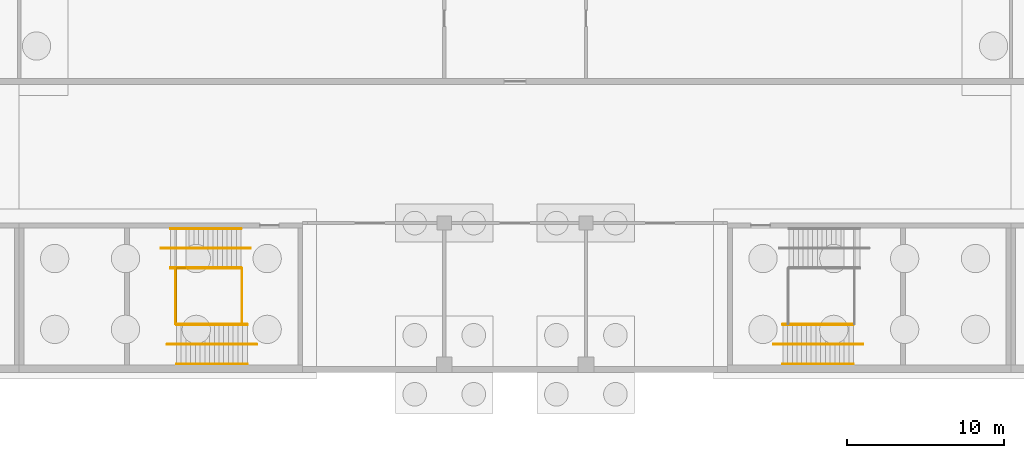
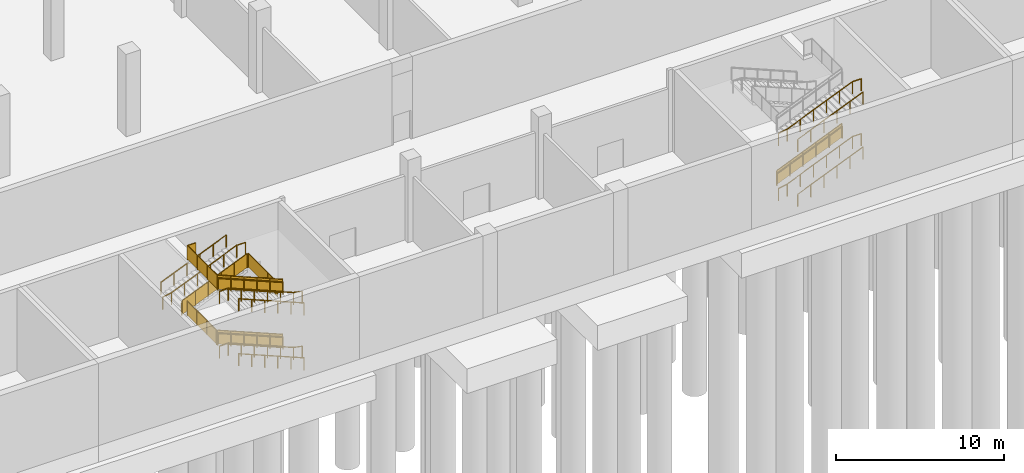
# One storey, part 29 of 42: 21 railings.
"""IFC4 building model written with IfcOpenShell, lengths in metres."""

from ifc_helpers import new_model, si_unit, direction, frame, origin, origin_2d, place, context, subcontext, project, spatial, polyline, circle, outline, extrude, material, type_object, element, save


model = new_model("IFC4")

# Units and contexts
model_context = context("Model", 3, precision=1e-05, world=origin(), true_north=direction((0.0, 1.0)))
body_context = subcontext(model_context, "Body", "Model", "MODEL_VIEW")
ifc_project = project(units=[si_unit("LENGTHUNIT", "METRE"), si_unit("AREAUNIT", "SQUARE_METRE"), si_unit("VOLUMEUNIT", "CUBIC_METRE"), si_unit("PLANEANGLEUNIT", "RADIAN"), si_unit("MASSUNIT", "GRAM", prefix="KILO")], contexts=[model_context])

# Site, building, storey
site_placement = place(None, origin())
site = spatial("IfcSite", under=ifc_project, at=site_placement, CompositionType="ELEMENT")
building_placement = place(site_placement, origin())
building = spatial("IfcBuilding", under=site, at=building_placement, Name="Silverbay Arena", CompositionType="ELEMENT")
storey_placement = place(building_placement, frame((0.0, 0.0, -6.0)))
storey = spatial("IfcBuildingStorey", under=building, at=storey_placement, Name="B1", CompositionType="ELEMENT", Elevation=-6.0)

# Railings
ifc_material_1 = material(Name="Stainless steel", Category="steel")
railing_type_1 = type_object("IfcRailingType", Name="Stair guard 1100", PredefinedType="GUARDRAIL", material=ifc_material_1)
railing_1_placement = place(storey_placement, frame((113.489990234375, 20.574951171875, 0.125)))
element("IfcRailing", 1, at=railing_1_placement, inside=storey, type_object=railing_type_1, Name="Stair ST-S2 B1 to L00 flight 1 guard left", PredefinedType="GUARDRAIL", context=body_context, shape_type="SweptSolid", body=[
    extrude(circle(Radius=0.02392578125, at=origin_2d()), frame((0.0, 0.0, 1.076171875), z_axis=(-0.923076923077, 0.0, 0.384615384615), x_axis=(0.0, -1.0, 0.0)), (0.0, 0.0, 1.0), 4.875),
    extrude(outline(polyline([(-0.008056640625, 0.046630859375), (0.907958984375, 0.42822265625), (0.907958984375, 1.431396484375), (-0.008056640625, 1.049560546875), (-0.008056640625, 0.046630859375)])), frame((0.0, -0.0029296875, 0.0), z_axis=(0.0, 1.0, 0.0), x_axis=(-1.0, 0.0, 0.0)), (0.0, 0.0, 1.0), 0.006103515625),
    extrude(outline(polyline([(-0.008056640625, 0.421630859375), (0.907958984375, 0.80322265625), (0.907958984375, 1.806396484375), (-0.008056640625, 1.424560546875), (-0.008056640625, 0.421630859375)])), frame((-0.89990234375, -0.0029296875, 0.0), z_axis=(0.0, 1.0, 0.0), x_axis=(-1.0, 0.0, 0.0)), (0.0, 0.0, 1.0), 0.006103515625),
    extrude(outline(polyline([(-0.008056640625, 0.796630859375), (0.907958984375, 1.17822265625), (0.907958984375, 2.181396484375), (-0.008056640625, 1.799560546875), (-0.008056640625, 0.796630859375)])), frame((-1.800048828125, -0.0029296875, 0.0), z_axis=(0.0, 1.0, 0.0), x_axis=(-1.0, 0.0, 0.0)), (0.0, 0.0, 1.0), 0.006103515625),
    extrude(outline(polyline([(-0.008056640625, 1.171630859375), (0.907958984375, 1.55322265625), (0.907958984375, 2.556396484375), (-0.008056640625, 2.174560546875), (-0.008056640625, 1.171630859375)])), frame((-2.699951171875, -0.0029296875, 0.0), z_axis=(0.0, 1.0, 0.0), x_axis=(-1.0, 0.0, 0.0)), (0.0, 0.0, 1.0), 0.006103515625),
    extrude(outline(polyline([(-0.008056640625, 1.546630859375), (0.907958984375, 1.92822265625), (0.907958984375, 2.931396484375), (-0.008056640625, 2.549560546875), (-0.008056640625, 1.546630859375)])), frame((-3.60009765625, -0.0029296875, 0.0), z_axis=(0.0, 1.0, 0.0), x_axis=(-1.0, 0.0, 0.0)), (0.0, 0.0, 1.0), 0.006103515625),
    extrude(circle(Radius=0.02099609375, at=origin_2d()), origin(), (0.0, 0.0, 1.0), 1.052001953125),
    extrude(circle(Radius=0.02099609375, at=origin_2d()), frame((-0.89990234375, 0.0, 0.375)), (0.0, 0.0, 1.0), 1.052001953125),
    extrude(circle(Radius=0.02099609375, at=origin_2d()), frame((-1.800048828125, 0.0, 0.75)), (0.0, 0.0, 1.0), 1.052001953125),
    extrude(circle(Radius=0.02099609375, at=origin_2d()), frame((-2.699951171875, 0.0, 1.125)), (0.0, 0.0, 1.0), 1.052001953125),
    extrude(circle(Radius=0.02099609375, at=origin_2d()), frame((-3.60009765625, 0.0, 1.5)), (0.0, 0.0, 1.0), 1.052001953125),
    extrude(circle(Radius=0.02099609375, at=origin_2d()), frame((-4.5, 0.0, 1.875)), (0.0, 0.0, 1.0), 1.052001953125),
])
railing_2_placement = place(storey_placement, frame((108.60009765625, 24.125, 2.125)))
element("IfcRailing", 2, at=railing_2_placement, inside=storey, type_object=railing_type_1, Name="Stair ST-S2 B1 to L00 flight 2 guard right", PredefinedType="GUARDRAIL", context=body_context, shape_type="SweptSolid", body=[
    extrude(circle(Radius=0.02392578125, at=origin_2d()), frame((0.0, 0.0, 1.076171875), z_axis=(0.923076923077, 0.0, 0.384615384615), x_axis=(0.0, 1.0, 0.0)), (0.0, 0.0, 1.0), 4.875),
    extrude(outline(polyline([(-0.008056640625, 0.046630859375), (0.907958984375, 0.42822265625), (0.907958984375, 1.431396484375), (-0.008056640625, 1.049560546875), (-0.008056640625, 0.046630859375)])), frame((0.0, 0.0029296875, 0.0), z_axis=(0.0, -1.0, 0.0), x_axis=(1.0, 0.0, 0.0)), (0.0, 0.0, 1.0), 0.006103515625),
    extrude(outline(polyline([(-0.008056640625, 0.421630859375), (0.907958984375, 0.80322265625), (0.907958984375, 1.806396484375), (-0.008056640625, 1.424560546875), (-0.008056640625, 0.421630859375)])), frame((0.89990234375, 0.0029296875, 0.0), z_axis=(0.0, -1.0, 0.0), x_axis=(1.0, 0.0, 0.0)), (0.0, 0.0, 1.0), 0.006103515625),
    extrude(outline(polyline([(-0.008056640625, 0.796630859375), (0.907958984375, 1.17822265625), (0.907958984375, 2.181396484375), (-0.008056640625, 1.799560546875), (-0.008056640625, 0.796630859375)])), frame((1.800048828125, 0.0029296875, 0.0), z_axis=(0.0, -1.0, 0.0), x_axis=(1.0, 0.0, 0.0)), (0.0, 0.0, 1.0), 0.006103515625),
    extrude(outline(polyline([(-0.008056640625, 1.171630859375), (0.907958984375, 1.55322265625), (0.907958984375, 2.556396484375), (-0.008056640625, 2.174560546875), (-0.008056640625, 1.171630859375)])), frame((2.699951171875, 0.0029296875, 0.0), z_axis=(0.0, -1.0, 0.0), x_axis=(1.0, 0.0, 0.0)), (0.0, 0.0, 1.0), 0.006103515625),
    extrude(outline(polyline([(-0.008056640625, 1.546630859375), (0.907958984375, 1.92822265625), (0.907958984375, 2.931396484375), (-0.008056640625, 2.549560546875), (-0.008056640625, 1.546630859375)])), frame((3.60009765625, 0.0029296875, 0.0), z_axis=(0.0, -1.0, 0.0), x_axis=(1.0, 0.0, 0.0)), (0.0, 0.0, 1.0), 0.006103515625),
    extrude(circle(Radius=0.02099609375, at=origin_2d()), origin(), (0.0, 0.0, 1.0), 1.052001953125),
    extrude(circle(Radius=0.02099609375, at=origin_2d()), frame((0.89990234375, 0.0, 0.375)), (0.0, 0.0, 1.0), 1.052001953125),
    extrude(circle(Radius=0.02099609375, at=origin_2d()), frame((1.800048828125, 0.0, 0.75)), (0.0, 0.0, 1.0), 1.052001953125),
    extrude(circle(Radius=0.02099609375, at=origin_2d()), frame((2.699951171875, 0.0, 1.125)), (0.0, 0.0, 1.0), 1.052001953125),
    extrude(circle(Radius=0.02099609375, at=origin_2d()), frame((3.60009765625, 0.0, 1.5)), (0.0, 0.0, 1.0), 1.052001953125),
    extrude(circle(Radius=0.02099609375, at=origin_2d()), frame((4.5, 0.0, 1.875)), (0.0, 0.0, 1.0), 1.052001953125),
])
railing_3_placement = place(storey_placement, frame((113.489990234375, 20.574951171875, 4.125)))
element("IfcRailing", 3, at=railing_3_placement, inside=storey, type_object=railing_type_1, Name="Stair ST-S2 B1 to L00 flight 3 guard left", PredefinedType="GUARDRAIL", context=body_context, shape_type="SweptSolid", body=[
    extrude(circle(Radius=0.02392578125, at=origin_2d()), frame((0.0, 0.0, 1.076171875), z_axis=(-0.923076923077, 0.0, 0.384615384615), x_axis=(0.0, -1.0, 0.0)), (0.0, 0.0, 1.0), 4.875),
    extrude(outline(polyline([(-0.008056640625, 0.046630859375), (0.907958984375, 0.42822265625), (0.907958984375, 1.431396484375), (-0.008056640625, 1.049560546875), (-0.008056640625, 0.046630859375)])), frame((0.0, -0.0029296875, 0.0), z_axis=(0.0, 1.0, 0.0), x_axis=(-1.0, 0.0, 0.0)), (0.0, 0.0, 1.0), 0.006103515625),
    extrude(outline(polyline([(-0.008056640625, 0.421630859375), (0.907958984375, 0.80322265625), (0.907958984375, 1.806396484375), (-0.008056640625, 1.424560546875), (-0.008056640625, 0.421630859375)])), frame((-0.89990234375, -0.0029296875, 0.0), z_axis=(0.0, 1.0, 0.0), x_axis=(-1.0, 0.0, 0.0)), (0.0, 0.0, 1.0), 0.006103515625),
    extrude(outline(polyline([(-0.008056640625, 0.796630859375), (0.907958984375, 1.17822265625), (0.907958984375, 2.181396484375), (-0.008056640625, 1.799560546875), (-0.008056640625, 0.796630859375)])), frame((-1.800048828125, -0.0029296875, 0.0), z_axis=(0.0, 1.0, 0.0), x_axis=(-1.0, 0.0, 0.0)), (0.0, 0.0, 1.0), 0.006103515625),
    extrude(outline(polyline([(-0.008056640625, 1.171630859375), (0.907958984375, 1.55322265625), (0.907958984375, 2.556396484375), (-0.008056640625, 2.174560546875), (-0.008056640625, 1.171630859375)])), frame((-2.699951171875, -0.0029296875, 0.0), z_axis=(0.0, 1.0, 0.0), x_axis=(-1.0, 0.0, 0.0)), (0.0, 0.0, 1.0), 0.006103515625),
    extrude(outline(polyline([(-0.008056640625, 1.546630859375), (0.907958984375, 1.92822265625), (0.907958984375, 2.931396484375), (-0.008056640625, 2.549560546875), (-0.008056640625, 1.546630859375)])), frame((-3.60009765625, -0.0029296875, 0.0), z_axis=(0.0, 1.0, 0.0), x_axis=(-1.0, 0.0, 0.0)), (0.0, 0.0, 1.0), 0.006103515625),
    extrude(circle(Radius=0.02099609375, at=origin_2d()), origin(), (0.0, 0.0, 1.0), 1.052001953125),
    extrude(circle(Radius=0.02099609375, at=origin_2d()), frame((-0.89990234375, 0.0, 0.375)), (0.0, 0.0, 1.0), 1.052001953125),
    extrude(circle(Radius=0.02099609375, at=origin_2d()), frame((-1.800048828125, 0.0, 0.75)), (0.0, 0.0, 1.0), 1.052001953125),
    extrude(circle(Radius=0.02099609375, at=origin_2d()), frame((-2.699951171875, 0.0, 1.125)), (0.0, 0.0, 1.0), 1.052001953125),
    extrude(circle(Radius=0.02099609375, at=origin_2d()), frame((-3.60009765625, 0.0, 1.5)), (0.0, 0.0, 1.0), 1.052001953125),
    extrude(circle(Radius=0.02099609375, at=origin_2d()), frame((-4.5, 0.0, 1.875)), (0.0, 0.0, 1.0), 1.052001953125),
])
for number, where, name in (
    (4, (108.93994140625, 24.10009765625, 2.0), "Stair ST-S2 B1 to L00 landing 1 guard"),
    (5, (113.14990234375, 24.10009765625, 4.0), "Stair ST-S2 B1 to L00 landing 2 guard"),
):
    element("IfcRailing", number, at=place(storey_placement, frame(where)), inside=storey, type_object=railing_type_1, Name=name, PredefinedType="GUARDRAIL", context=body_context, shape_type="SweptSolid", body=[
        extrude(circle(Radius=0.02392578125, at=origin_2d()), frame((0.0, 0.0, 1.076171875), z_axis=(0.0, -1.0, 0.0), x_axis=(1.0, 0.0, 0.0)), (0.0, 0.0, 1.0), 3.5),
        extrude(outline(polyline([(-0.008056640625, 0.050048828125), (1.174560546875, 0.050048828125), (1.174560546875, 1.052978515625), (-0.008056640625, 1.052978515625), (-0.008056640625, 0.050048828125)])), frame((0.0029296875, 0.0, 0.0), z_axis=(-1.0, 0.0, 0.0), x_axis=(0.0, -1.0, 0.0)), (0.0, 0.0, 1.0), 0.006103515625),
        extrude(outline(polyline([(-0.008056640625, 0.050048828125), (1.174560546875, 0.050048828125), (1.174560546875, 1.052978515625), (-0.008056640625, 1.052978515625), (-0.008056640625, 0.050048828125)])), frame((0.0029296875, -1.166748046875, 0.0), z_axis=(-1.0, 0.0, 0.0), x_axis=(0.0, -1.0, 0.0)), (0.0, 0.0, 1.0), 0.006103515625),
        extrude(outline(polyline([(-0.008056640625, 0.050048828125), (1.174560546875, 0.050048828125), (1.174560546875, 1.052978515625), (-0.008056640625, 1.052978515625), (-0.008056640625, 0.050048828125)])), frame((0.0029296875, -2.333251953125, 0.0), z_axis=(-1.0, 0.0, 0.0), x_axis=(0.0, -1.0, 0.0)), (0.0, 0.0, 1.0), 0.006103515625),
        extrude(circle(Radius=0.02099609375, at=origin_2d()), origin(), (0.0, 0.0, 1.0), 1.052001953125),
        extrude(circle(Radius=0.02099609375, at=origin_2d()), frame((0.0, -1.166748046875, 0.0)), (0.0, 0.0, 1.0), 1.052001953125),
        extrude(circle(Radius=0.02099609375, at=origin_2d()), frame((0.0, -2.333251953125, 0.0)), (0.0, 0.0, 1.0), 1.052001953125),
        extrude(circle(Radius=0.02099609375, at=origin_2d()), frame((0.0, -3.5, 0.0)), (0.0, 0.0, 1.0), 1.052001953125),
    ])
railing_4_placement = place(storey_placement, frame((109.550048828125, 24.14990234375, 6.0)))
element("IfcRailing", 6, at=railing_4_placement, inside=storey, type_object=railing_type_1, Name="Stair ST-S2 B1 to L00 landing 3 guard", PredefinedType="GUARDRAIL", context=body_context, shape_type="SweptSolid", body=[
    extrude(circle(Radius=0.02392578125, at=origin_2d()), frame((0.0, 0.0, 1.076171875), z_axis=(-1.0, 0.0, 0.0), x_axis=(0.0, -1.0, 0.0)), (0.0, 0.0, 1.0), 0.56005859375),
    extrude(outline(polyline([(-0.008056640625, 0.050048828125), (0.568115234375, 0.050048828125), (0.568115234375, 1.052978515625), (-0.008056640625, 1.052978515625), (-0.008056640625, 0.050048828125)])), frame((0.0, -0.0029296875, 0.0), z_axis=(0.0, 1.0, 0.0), x_axis=(-1.0, 0.0, 0.0)), (0.0, 0.0, 1.0), 0.006103515625),
    extrude(circle(Radius=0.02392578125, at=origin_2d()), frame((-0.56005859375, 0.0, 1.076171875), z_axis=(0.0, -1.0, 0.0), x_axis=(1.0, 0.0, 0.0)), (0.0, 0.0, 1.0), 3.5498046875),
    extrude(outline(polyline([(-0.008056640625, 0.050048828125), (1.191162109375, 0.050048828125), (1.191162109375, 1.052978515625), (-0.008056640625, 1.052978515625), (-0.008056640625, 0.050048828125)])), frame((-0.55712890625, 0.0, 0.0), z_axis=(-1.0, 0.0, 0.0), x_axis=(0.0, -1.0, 0.0)), (0.0, 0.0, 1.0), 0.006103515625),
    extrude(outline(polyline([(-0.008056640625, 0.050048828125), (1.191162109375, 0.050048828125), (1.191162109375, 1.052978515625), (-0.008056640625, 1.052978515625), (-0.008056640625, 0.050048828125)])), frame((-0.55712890625, -1.183349609375, 0.0), z_axis=(-1.0, 0.0, 0.0), x_axis=(0.0, -1.0, 0.0)), (0.0, 0.0, 1.0), 0.006103515625),
    extrude(outline(polyline([(-0.008056640625, 0.050048828125), (1.191162109375, 0.050048828125), (1.191162109375, 1.052978515625), (-0.008056640625, 1.052978515625), (-0.008056640625, 0.050048828125)])), frame((-0.55712890625, -2.366455078125, 0.0), z_axis=(-1.0, 0.0, 0.0), x_axis=(0.0, -1.0, 0.0)), (0.0, 0.0, 1.0), 0.006103515625),
    extrude(circle(Radius=0.02099609375, at=origin_2d()), origin(), (0.0, 0.0, 1.0), 1.052001953125),
    extrude(circle(Radius=0.02099609375, at=origin_2d()), frame((-0.56005859375, 0.0, 0.0)), (0.0, 0.0, 1.0), 1.052001953125),
    extrude(circle(Radius=0.02099609375, at=origin_2d()), frame((-0.56005859375, -1.183349609375, 0.0)), (0.0, 0.0, 1.0), 1.052001953125),
    extrude(circle(Radius=0.02099609375, at=origin_2d()), frame((-0.56005859375, -2.366455078125, 0.0)), (0.0, 0.0, 1.0), 1.052001953125),
    extrude(circle(Radius=0.02099609375, at=origin_2d()), frame((-0.56005859375, -3.5498046875, 0.0)), (0.0, 0.0, 1.0), 1.052001953125),
])
railing_5_placement = place(storey_placement, frame((147.510009765625, 20.574951171875, 0.125)))
element("IfcRailing", 7, at=railing_5_placement, inside=storey, type_object=railing_type_1, Name="Stair ST-S3 B1 to L00 flight 1 guard left", PredefinedType="GUARDRAIL", context=body_context, shape_type="SweptSolid", body=[
    extrude(circle(Radius=0.02392578125, at=origin_2d()), frame((0.0, 0.0, 1.076171875), z_axis=(0.923076923077, 0.0, 0.384615384615), x_axis=(0.0, 1.0, 0.0)), (0.0, 0.0, 1.0), 4.875),
    extrude(outline(polyline([(-0.008056640625, 0.046630859375), (0.907958984375, 0.42822265625), (0.907958984375, 1.431396484375), (-0.008056640625, 1.049560546875), (-0.008056640625, 0.046630859375)])), frame((0.0, 0.0029296875, 0.0), z_axis=(0.0, -1.0, 0.0), x_axis=(1.0, 0.0, 0.0)), (0.0, 0.0, 1.0), 0.006103515625),
    extrude(outline(polyline([(-0.008056640625, 0.421630859375), (0.907958984375, 0.80322265625), (0.907958984375, 1.806396484375), (-0.008056640625, 1.424560546875), (-0.008056640625, 0.421630859375)])), frame((0.89990234375, 0.0029296875, 0.0), z_axis=(0.0, -1.0, 0.0), x_axis=(1.0, 0.0, 0.0)), (0.0, 0.0, 1.0), 0.006103515625),
    extrude(outline(polyline([(-0.008056640625, 0.796630859375), (0.907958984375, 1.17822265625), (0.907958984375, 2.181396484375), (-0.008056640625, 1.799560546875), (-0.008056640625, 0.796630859375)])), frame((1.800048828125, 0.0029296875, 0.0), z_axis=(0.0, -1.0, 0.0), x_axis=(1.0, 0.0, 0.0)), (0.0, 0.0, 1.0), 0.006103515625),
    extrude(outline(polyline([(-0.008056640625, 1.171630859375), (0.907958984375, 1.55322265625), (0.907958984375, 2.556396484375), (-0.008056640625, 2.174560546875), (-0.008056640625, 1.171630859375)])), frame((2.699951171875, 0.0029296875, 0.0), z_axis=(0.0, -1.0, 0.0), x_axis=(1.0, 0.0, 0.0)), (0.0, 0.0, 1.0), 0.006103515625),
    extrude(outline(polyline([(-0.008056640625, 1.546630859375), (0.907958984375, 1.92822265625), (0.907958984375, 2.931396484375), (-0.008056640625, 2.549560546875), (-0.008056640625, 1.546630859375)])), frame((3.60009765625, 0.0029296875, 0.0), z_axis=(0.0, -1.0, 0.0), x_axis=(1.0, 0.0, 0.0)), (0.0, 0.0, 1.0), 0.006103515625),
    extrude(circle(Radius=0.02099609375, at=origin_2d()), origin(), (0.0, 0.0, 1.0), 1.052001953125),
    extrude(circle(Radius=0.02099609375, at=origin_2d()), frame((0.89990234375, 0.0, 0.375)), (0.0, 0.0, 1.0), 1.052001953125),
    extrude(circle(Radius=0.02099609375, at=origin_2d()), frame((1.800048828125, 0.0, 0.75)), (0.0, 0.0, 1.0), 1.052001953125),
    extrude(circle(Radius=0.02099609375, at=origin_2d()), frame((2.699951171875, 0.0, 1.125)), (0.0, 0.0, 1.0), 1.052001953125),
    extrude(circle(Radius=0.02099609375, at=origin_2d()), frame((3.60009765625, 0.0, 1.5)), (0.0, 0.0, 1.0), 1.052001953125),
    extrude(circle(Radius=0.02099609375, at=origin_2d()), frame((4.5, 0.0, 1.875)), (0.0, 0.0, 1.0), 1.052001953125),
])
ifc_material_2 = material(Name="Stainless steel", Category="steel")
railing_type_2 = type_object("IfcRailingType", Name="Stair handrail 900", PredefinedType="HANDRAIL", material=ifc_material_2)
for number, where, name in (
    (8, (113.489990234375, 20.535888671875, 0.125), "Stair ST-S2 B1 to L00 flight 1 handrail left"),
    (9, (113.489990234375, 18.050048828125, 0.125), "Stair ST-S2 B1 to L00 flight 1 handrail right"),
):
    element("IfcRailing", number, at=place(storey_placement, frame(where)), inside=storey, type_object=railing_type_2, Name=name, PredefinedType="HANDRAIL", context=body_context, shape_type="SweptSolid", body=[
        extrude(circle(Radius=0.02392578125, at=origin_2d()), frame((0.0, 0.0, 0.8759765625), z_axis=(-0.923076923077, 0.0, 0.384615384615), x_axis=(0.0, -1.0, 0.0)), (0.0, 0.0, 1.0), 4.875),
        extrude(circle(Radius=0.02099609375, at=origin_2d()), origin(), (0.0, 0.0, 1.0), 0.851806640625),
        extrude(circle(Radius=0.02099609375, at=origin_2d()), frame((-0.89990234375, 0.0, 0.375)), (0.0, 0.0, 1.0), 0.851806640625),
        extrude(circle(Radius=0.02099609375, at=origin_2d()), frame((-1.800048828125, 0.0, 0.75)), (0.0, 0.0, 1.0), 0.851806640625),
        extrude(circle(Radius=0.02099609375, at=origin_2d()), frame((-2.699951171875, 0.0, 1.125)), (0.0, 0.0, 1.0), 0.851806640625),
        extrude(circle(Radius=0.02099609375, at=origin_2d()), frame((-3.60009765625, 0.0, 1.5)), (0.0, 0.0, 1.0), 0.851806640625),
        extrude(circle(Radius=0.02099609375, at=origin_2d()), frame((-4.5, 0.0, 1.875)), (0.0, 0.0, 1.0), 0.851806640625),
    ])
railing_6_placement = place(storey_placement, frame((114.090087890625, 19.300048828125, 0.0)))
element("IfcRailing", 10, at=railing_6_placement, inside=storey, type_object=railing_type_2, Name="Stair ST-S2 B1 to L00 flight 1 central handrail", PredefinedType="HANDRAIL", context=body_context, shape_type="SweptSolid", body=[
    extrude(circle(Radius=0.02392578125, at=origin_2d()), frame((0.0, 0.0, 0.8759765625), z_axis=(-0.978987046276, 0.0, 0.203922444139), x_axis=(0.0, -1.0, 0.0)), (0.0, 0.0, 1.0), 0.613037109375),
    extrude(circle(Radius=0.02392578125, at=origin_2d()), frame((-0.60009765625, 0.0, 1.0009765625), z_axis=(-0.923076923077, 0.0, 0.384615384615), x_axis=(0.0, -1.0, 0.0)), (0.0, 0.0, 1.0), 4.875),
    extrude(circle(Radius=0.02392578125, at=origin_2d()), frame((-5.10009765625, 0.0, 2.8759765625), z_axis=(-1.0, 0.0, 0.0), x_axis=(0.0, -1.0, 0.0)), (0.0, 0.0, 1.0), 0.60009765625),
    extrude(circle(Radius=0.02099609375, at=origin_2d()), origin(), (0.0, 0.0, 1.0), 0.851806640625),
    extrude(circle(Radius=0.02099609375, at=origin_2d()), frame((-0.60009765625, 0.0, 0.125)), (0.0, 0.0, 1.0), 0.851806640625),
    extrude(circle(Radius=0.02099609375, at=origin_2d()), frame((-1.5, 0.0, 0.5)), (0.0, 0.0, 1.0), 0.851806640625),
    extrude(circle(Radius=0.02099609375, at=origin_2d()), frame((-2.400146484375, 0.0, 0.875)), (0.0, 0.0, 1.0), 0.851806640625),
    extrude(circle(Radius=0.02099609375, at=origin_2d()), frame((-3.300048828125, 0.0, 1.25)), (0.0, 0.0, 1.0), 0.851806640625),
    extrude(circle(Radius=0.02099609375, at=origin_2d()), frame((-4.2001953125, 0.0, 1.625)), (0.0, 0.0, 1.0), 0.851806640625),
    extrude(circle(Radius=0.02099609375, at=origin_2d()), frame((-5.10009765625, 0.0, 2.0)), (0.0, 0.0, 1.0), 0.851806640625),
    extrude(circle(Radius=0.02099609375, at=origin_2d()), frame((-5.7001953125, 0.0, 2.0)), (0.0, 0.0, 1.0), 0.851806640625),
])
for number, where, name in (
    (11, (108.60009765625, 26.64990234375, 2.125), "Stair ST-S2 B1 to L00 flight 2 handrail left"),
    (12, (108.60009765625, 24.1640625, 2.125), "Stair ST-S2 B1 to L00 flight 2 handrail right"),
):
    element("IfcRailing", number, at=place(storey_placement, frame(where)), inside=storey, type_object=railing_type_2, Name=name, PredefinedType="HANDRAIL", context=body_context, shape_type="SweptSolid", body=[
        extrude(circle(Radius=0.02392578125, at=origin_2d()), frame((0.0, 0.0, 0.8759765625), z_axis=(0.923076923077, 0.0, 0.384615384615), x_axis=(0.0, 1.0, 0.0)), (0.0, 0.0, 1.0), 4.875),
        extrude(circle(Radius=0.02099609375, at=origin_2d()), origin(), (0.0, 0.0, 1.0), 0.851806640625),
        extrude(circle(Radius=0.02099609375, at=origin_2d()), frame((0.89990234375, 0.0, 0.375)), (0.0, 0.0, 1.0), 0.851806640625),
        extrude(circle(Radius=0.02099609375, at=origin_2d()), frame((1.800048828125, 0.0, 0.75)), (0.0, 0.0, 1.0), 0.851806640625),
        extrude(circle(Radius=0.02099609375, at=origin_2d()), frame((2.699951171875, 0.0, 1.125)), (0.0, 0.0, 1.0), 0.851806640625),
        extrude(circle(Radius=0.02099609375, at=origin_2d()), frame((3.60009765625, 0.0, 1.5)), (0.0, 0.0, 1.0), 0.851806640625),
        extrude(circle(Radius=0.02099609375, at=origin_2d()), frame((4.5, 0.0, 1.875)), (0.0, 0.0, 1.0), 0.851806640625),
    ])
railing_7_placement = place(storey_placement, frame((108.0, 25.39990234375, 2.0)))
element("IfcRailing", 13, at=railing_7_placement, inside=storey, type_object=railing_type_2, Name="Stair ST-S2 B1 to L00 flight 2 central handrail", PredefinedType="HANDRAIL", context=body_context, shape_type="SweptSolid", body=[
    extrude(circle(Radius=0.02392578125, at=origin_2d()), frame((0.0, 0.0, 0.8759765625), z_axis=(0.978987046276, 0.0, 0.203922444139), x_axis=(0.0, 1.0, 0.0)), (0.0, 0.0, 1.0), 0.613037109375),
    extrude(circle(Radius=0.02392578125, at=origin_2d()), frame((0.60009765625, 0.0, 1.0009765625), z_axis=(0.923076923077, 0.0, 0.384615384615), x_axis=(0.0, 1.0, 0.0)), (0.0, 0.0, 1.0), 4.875),
    extrude(circle(Radius=0.02392578125, at=origin_2d()), frame((5.10009765625, 0.0, 2.8759765625), z_axis=(1.0, 0.0, 0.0), x_axis=(0.0, 1.0, 0.0)), (0.0, 0.0, 1.0), 0.599853515625),
    extrude(circle(Radius=0.02099609375, at=origin_2d()), origin(), (0.0, 0.0, 1.0), 0.851806640625),
    extrude(circle(Radius=0.02099609375, at=origin_2d()), frame((0.60009765625, 0.0, 0.125)), (0.0, 0.0, 1.0), 0.851806640625),
    extrude(circle(Radius=0.02099609375, at=origin_2d()), frame((1.5, 0.0, 0.5)), (0.0, 0.0, 1.0), 0.851806640625),
    extrude(circle(Radius=0.02099609375, at=origin_2d()), frame((2.400146484375, 0.0, 0.875)), (0.0, 0.0, 1.0), 0.851806640625),
    extrude(circle(Radius=0.02099609375, at=origin_2d()), frame((3.300048828125, 0.0, 1.25)), (0.0, 0.0, 1.0), 0.851806640625),
    extrude(circle(Radius=0.02099609375, at=origin_2d()), frame((4.2001953125, 0.0, 1.625)), (0.0, 0.0, 1.0), 0.851806640625),
    extrude(circle(Radius=0.02099609375, at=origin_2d()), frame((5.10009765625, 0.0, 2.0)), (0.0, 0.0, 1.0), 0.851806640625),
    extrude(circle(Radius=0.02099609375, at=origin_2d()), frame((5.699951171875, 0.0, 2.0)), (0.0, 0.0, 1.0), 0.851806640625),
])
for number, where, name in (
    (14, (113.489990234375, 20.535888671875, 4.125), "Stair ST-S2 B1 to L00 flight 3 handrail left"),
    (15, (113.489990234375, 18.050048828125, 4.125), "Stair ST-S2 B1 to L00 flight 3 handrail right"),
):
    element("IfcRailing", number, at=place(storey_placement, frame(where)), inside=storey, type_object=railing_type_2, Name=name, PredefinedType="HANDRAIL", context=body_context, shape_type="SweptSolid", body=[
        extrude(circle(Radius=0.02392578125, at=origin_2d()), frame((0.0, 0.0, 0.8759765625), z_axis=(-0.923076923077, 0.0, 0.384615384615), x_axis=(0.0, -1.0, 0.0)), (0.0, 0.0, 1.0), 4.875),
        extrude(circle(Radius=0.02099609375, at=origin_2d()), origin(), (0.0, 0.0, 1.0), 0.851806640625),
        extrude(circle(Radius=0.02099609375, at=origin_2d()), frame((-0.89990234375, 0.0, 0.375)), (0.0, 0.0, 1.0), 0.851806640625),
        extrude(circle(Radius=0.02099609375, at=origin_2d()), frame((-1.800048828125, 0.0, 0.75)), (0.0, 0.0, 1.0), 0.851806640625),
        extrude(circle(Radius=0.02099609375, at=origin_2d()), frame((-2.699951171875, 0.0, 1.125)), (0.0, 0.0, 1.0), 0.851806640625),
        extrude(circle(Radius=0.02099609375, at=origin_2d()), frame((-3.60009765625, 0.0, 1.5)), (0.0, 0.0, 1.0), 0.851806640625),
        extrude(circle(Radius=0.02099609375, at=origin_2d()), frame((-4.5, 0.0, 1.875)), (0.0, 0.0, 1.0), 0.851806640625),
    ])
railing_8_placement = place(storey_placement, frame((114.090087890625, 19.300048828125, 4.0)))
element("IfcRailing", 16, at=railing_8_placement, inside=storey, type_object=railing_type_2, Name="Stair ST-S2 B1 to L00 flight 3 central handrail", PredefinedType="HANDRAIL", context=body_context, shape_type="SweptSolid", body=[
    extrude(circle(Radius=0.02392578125, at=origin_2d()), frame((0.0, 0.0, 0.8759765625), z_axis=(-0.978987046276, 0.0, 0.203922444139), x_axis=(0.0, -1.0, 0.0)), (0.0, 0.0, 1.0), 0.613037109375),
    extrude(circle(Radius=0.02392578125, at=origin_2d()), frame((-0.60009765625, 0.0, 1.0009765625), z_axis=(-0.923076923077, 0.0, 0.384615384615), x_axis=(0.0, -1.0, 0.0)), (0.0, 0.0, 1.0), 4.875),
    extrude(circle(Radius=0.02392578125, at=origin_2d()), frame((-5.10009765625, 0.0, 2.8759765625), z_axis=(-1.0, 0.0, 0.0), x_axis=(0.0, -1.0, 0.0)), (0.0, 0.0, 1.0), 0.60009765625),
    extrude(circle(Radius=0.02099609375, at=origin_2d()), origin(), (0.0, 0.0, 1.0), 0.851806640625),
    extrude(circle(Radius=0.02099609375, at=origin_2d()), frame((-0.60009765625, 0.0, 0.125)), (0.0, 0.0, 1.0), 0.851806640625),
    extrude(circle(Radius=0.02099609375, at=origin_2d()), frame((-1.5, 0.0, 0.5)), (0.0, 0.0, 1.0), 0.851806640625),
    extrude(circle(Radius=0.02099609375, at=origin_2d()), frame((-2.400146484375, 0.0, 0.875)), (0.0, 0.0, 1.0), 0.851806640625),
    extrude(circle(Radius=0.02099609375, at=origin_2d()), frame((-3.300048828125, 0.0, 1.25)), (0.0, 0.0, 1.0), 0.851806640625),
    extrude(circle(Radius=0.02099609375, at=origin_2d()), frame((-4.2001953125, 0.0, 1.625)), (0.0, 0.0, 1.0), 0.851806640625),
    extrude(circle(Radius=0.02099609375, at=origin_2d()), frame((-5.10009765625, 0.0, 2.0)), (0.0, 0.0, 1.0), 0.851806640625),
    extrude(circle(Radius=0.02099609375, at=origin_2d()), frame((-5.7001953125, 0.0, 2.0)), (0.0, 0.0, 1.0), 0.851806640625),
])
for number, where, name in (
    (17, (147.510009765625, 20.535888671875, 0.125), "Stair ST-S3 B1 to L00 flight 1 handrail left"),
    (18, (147.510009765625, 18.050048828125, 0.125), "Stair ST-S3 B1 to L00 flight 1 handrail right"),
):
    element("IfcRailing", number, at=place(storey_placement, frame(where)), inside=storey, type_object=railing_type_2, Name=name, PredefinedType="HANDRAIL", context=body_context, shape_type="SweptSolid", body=[
        extrude(circle(Radius=0.02392578125, at=origin_2d()), frame((0.0, 0.0, 0.8759765625), z_axis=(0.923076923077, 0.0, 0.384615384615), x_axis=(0.0, 1.0, 0.0)), (0.0, 0.0, 1.0), 4.875),
        extrude(circle(Radius=0.02099609375, at=origin_2d()), origin(), (0.0, 0.0, 1.0), 0.851806640625),
        extrude(circle(Radius=0.02099609375, at=origin_2d()), frame((0.89990234375, 0.0, 0.375)), (0.0, 0.0, 1.0), 0.851806640625),
        extrude(circle(Radius=0.02099609375, at=origin_2d()), frame((1.800048828125, 0.0, 0.75)), (0.0, 0.0, 1.0), 0.851806640625),
        extrude(circle(Radius=0.02099609375, at=origin_2d()), frame((2.699951171875, 0.0, 1.125)), (0.0, 0.0, 1.0), 0.851806640625),
        extrude(circle(Radius=0.02099609375, at=origin_2d()), frame((3.60009765625, 0.0, 1.5)), (0.0, 0.0, 1.0), 0.851806640625),
        extrude(circle(Radius=0.02099609375, at=origin_2d()), frame((4.5, 0.0, 1.875)), (0.0, 0.0, 1.0), 0.851806640625),
    ])
railing_9_placement = place(storey_placement, frame((146.909912109375, 19.300048828125, 0.0)))
element("IfcRailing", 19, at=railing_9_placement, inside=storey, type_object=railing_type_2, Name="Stair ST-S3 B1 to L00 flight 1 central handrail", PredefinedType="HANDRAIL", context=body_context, shape_type="SweptSolid", body=[
    extrude(circle(Radius=0.02392578125, at=origin_2d()), frame((0.0, 0.0, 0.8759765625), z_axis=(0.978987046276, 0.0, 0.203922444139), x_axis=(0.0, 1.0, 0.0)), (0.0, 0.0, 1.0), 0.613037109375),
    extrude(circle(Radius=0.02392578125, at=origin_2d()), frame((0.60009765625, 0.0, 1.0009765625), z_axis=(0.923076923077, 0.0, 0.384615384615), x_axis=(0.0, 1.0, 0.0)), (0.0, 0.0, 1.0), 4.875),
    extrude(circle(Radius=0.02392578125, at=origin_2d()), frame((5.10009765625, 0.0, 2.8759765625), z_axis=(1.0, 0.0, 0.0), x_axis=(0.0, 1.0, 0.0)), (0.0, 0.0, 1.0), 0.60009765625),
    extrude(circle(Radius=0.02099609375, at=origin_2d()), origin(), (0.0, 0.0, 1.0), 0.851806640625),
    extrude(circle(Radius=0.02099609375, at=origin_2d()), frame((0.60009765625, 0.0, 0.125)), (0.0, 0.0, 1.0), 0.851806640625),
    extrude(circle(Radius=0.02099609375, at=origin_2d()), frame((1.5, 0.0, 0.5)), (0.0, 0.0, 1.0), 0.851806640625),
    extrude(circle(Radius=0.02099609375, at=origin_2d()), frame((2.400146484375, 0.0, 0.875)), (0.0, 0.0, 1.0), 0.851806640625),
    extrude(circle(Radius=0.02099609375, at=origin_2d()), frame((3.300048828125, 0.0, 1.25)), (0.0, 0.0, 1.0), 0.851806640625),
    extrude(circle(Radius=0.02099609375, at=origin_2d()), frame((4.2001953125, 0.0, 1.625)), (0.0, 0.0, 1.0), 0.851806640625),
    extrude(circle(Radius=0.02099609375, at=origin_2d()), frame((5.10009765625, 0.0, 2.0)), (0.0, 0.0, 1.0), 0.851806640625),
    extrude(circle(Radius=0.02099609375, at=origin_2d()), frame((5.7001953125, 0.0, 2.0)), (0.0, 0.0, 1.0), 0.851806640625),
])
railing_10_placement = place(storey_placement, frame((147.510009765625, 18.050048828125, 4.125)))
element("IfcRailing", 20, at=railing_10_placement, inside=storey, type_object=railing_type_2, Name="Stair ST-S3 B1 to L00 flight 3 handrail right", PredefinedType="HANDRAIL", context=body_context, shape_type="SweptSolid", body=[
    extrude(circle(Radius=0.02392578125, at=origin_2d()), frame((0.0, 0.0, 0.8759765625), z_axis=(0.923076923077, 0.0, 0.384615384615), x_axis=(0.0, 1.0, 0.0)), (0.0, 0.0, 1.0), 4.875),
    extrude(circle(Radius=0.02099609375, at=origin_2d()), origin(), (0.0, 0.0, 1.0), 0.851806640625),
    extrude(circle(Radius=0.02099609375, at=origin_2d()), frame((0.89990234375, 0.0, 0.375)), (0.0, 0.0, 1.0), 0.851806640625),
    extrude(circle(Radius=0.02099609375, at=origin_2d()), frame((1.800048828125, 0.0, 0.75)), (0.0, 0.0, 1.0), 0.851806640625),
    extrude(circle(Radius=0.02099609375, at=origin_2d()), frame((2.699951171875, 0.0, 1.125)), (0.0, 0.0, 1.0), 0.851806640625),
    extrude(circle(Radius=0.02099609375, at=origin_2d()), frame((3.60009765625, 0.0, 1.5)), (0.0, 0.0, 1.0), 0.851806640625),
    extrude(circle(Radius=0.02099609375, at=origin_2d()), frame((4.5, 0.0, 1.875)), (0.0, 0.0, 1.0), 0.851806640625),
])
railing_11_placement = place(storey_placement, frame((146.909912109375, 19.300048828125, 4.0)))
element("IfcRailing", 21, at=railing_11_placement, inside=storey, type_object=railing_type_2, Name="Stair ST-S3 B1 to L00 flight 3 central handrail", PredefinedType="HANDRAIL", context=body_context, shape_type="SweptSolid", body=[
    extrude(circle(Radius=0.02392578125, at=origin_2d()), frame((0.0, 0.0, 0.8759765625), z_axis=(0.978987046276, 0.0, 0.203922444139), x_axis=(0.0, 1.0, 0.0)), (0.0, 0.0, 1.0), 0.613037109375),
    extrude(circle(Radius=0.02392578125, at=origin_2d()), frame((0.60009765625, 0.0, 1.0009765625), z_axis=(0.923076923077, 0.0, 0.384615384615), x_axis=(0.0, 1.0, 0.0)), (0.0, 0.0, 1.0), 4.875),
    extrude(circle(Radius=0.02392578125, at=origin_2d()), frame((5.10009765625, 0.0, 2.8759765625), z_axis=(1.0, 0.0, 0.0), x_axis=(0.0, 1.0, 0.0)), (0.0, 0.0, 1.0), 0.60009765625),
    extrude(circle(Radius=0.02099609375, at=origin_2d()), origin(), (0.0, 0.0, 1.0), 0.851806640625),
    extrude(circle(Radius=0.02099609375, at=origin_2d()), frame((0.60009765625, 0.0, 0.125)), (0.0, 0.0, 1.0), 0.851806640625),
    extrude(circle(Radius=0.02099609375, at=origin_2d()), frame((1.5, 0.0, 0.5)), (0.0, 0.0, 1.0), 0.851806640625),
    extrude(circle(Radius=0.02099609375, at=origin_2d()), frame((2.400146484375, 0.0, 0.875)), (0.0, 0.0, 1.0), 0.851806640625),
    extrude(circle(Radius=0.02099609375, at=origin_2d()), frame((3.300048828125, 0.0, 1.25)), (0.0, 0.0, 1.0), 0.851806640625),
    extrude(circle(Radius=0.02099609375, at=origin_2d()), frame((4.2001953125, 0.0, 1.625)), (0.0, 0.0, 1.0), 0.851806640625),
    extrude(circle(Radius=0.02099609375, at=origin_2d()), frame((5.10009765625, 0.0, 2.0)), (0.0, 0.0, 1.0), 0.851806640625),
    extrude(circle(Radius=0.02099609375, at=origin_2d()), frame((5.7001953125, 0.0, 2.0)), (0.0, 0.0, 1.0), 0.851806640625),
])

save(model, "model.ifc")
